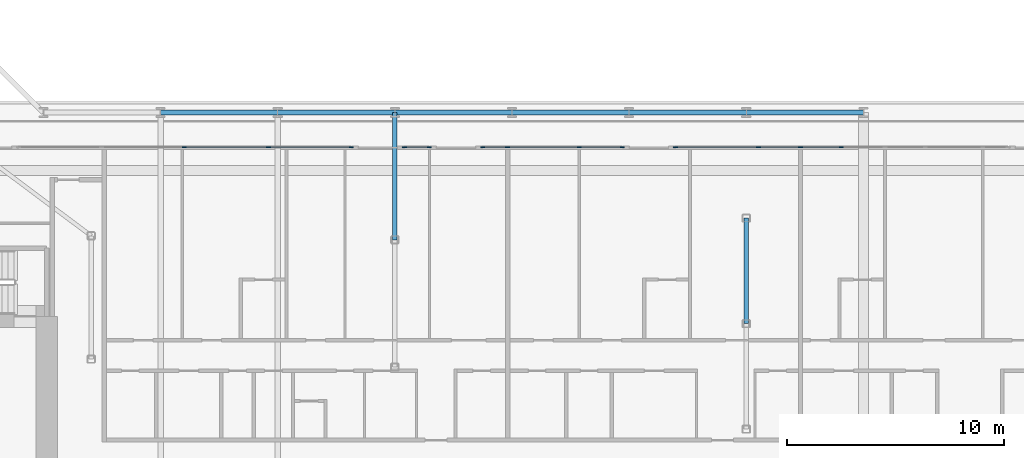
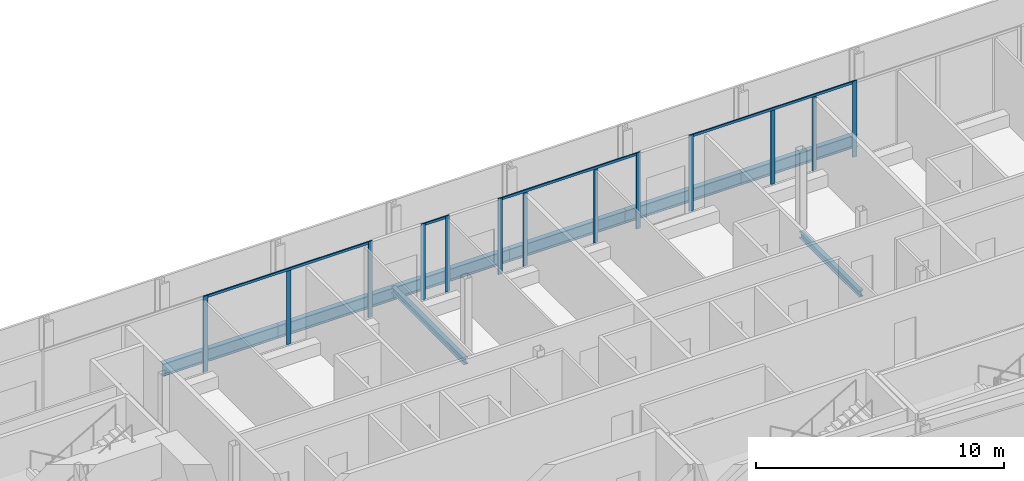
# One storey, part 6 of 29: 17 members, 8 beams, 5 elements without a shape of their own.
"""IFC4 building model written with IfcOpenShell, lengths in metres."""

import ifcopenshell
import ifcopenshell.guid

model = None  # the IFC model being written
_history = None  # IfcOwnerHistory: only IFC2X3 demands one
_inside = {}  # id of a spatial element -> (the spatial element, [elements in it])
_under = {}  # id of a project, library or spatial element -> (it, [spatial elements below it])
_declared = {}  # id of a project -> (the project, [libraries it declares])
_typed = {}  # id of a type object -> (the type object, [elements of that type])
_made_of = {}  # id of a material, layer set ... -> (it, [elements and type objects made of it])


def new_model(schema):
    """Start an empty IFC model of exactly this schema.

    Asked for "IFC4X3", IfcOpenShell would pick the latest addendum, in which some entities
    have other attributes; the version numbers below select the first issue.
    IFC2X3 requires an IfcOwnerHistory on every rooted entity: one is made here for all.
    """
    global model, _history
    if schema == "IFC4X3":
        model = ifcopenshell.file(schema_version=(4, 3, 0, 0))
    else:
        model = ifcopenshell.file(schema=schema)
    _inside.clear()
    _under.clear()
    _declared.clear()
    _typed.clear()
    _made_of.clear()
    _history = None
    if model.schema == "IFC2X3":
        org = make("IfcOrganization", Name="unknown")
        user = make(
            "IfcPersonAndOrganization",
            ThePerson=make("IfcPerson", FamilyName="unknown"),
            TheOrganization=org,
        )
        app = make(
            "IfcApplication",
            ApplicationDeveloper=org,
            Version="unknown",
            ApplicationFullName="unknown",
            ApplicationIdentifier="unknown",
        )
        _history = make(
            "IfcOwnerHistory",
            OwningUser=user,
            OwningApplication=app,
            ChangeAction="ADDED",
            CreationDate=0,
        )
    return model


def make(cls, **values):
    """One entity of the class cls with the attributes given. An attribute that is None is left unset."""
    return model.create_entity(
        cls, **{name: value for name, value in values.items() if value is not None}
    )


def rooted(cls, **values):
    """An entity with a GlobalId (a new one), such as an element, a storey or a relation."""
    return make(cls, GlobalId=ifcopenshell.guid.new(), OwnerHistory=_history, **values)


def si_unit(unit_type, name, prefix=None):
    """IfcSIUnit, for example si_unit("LENGTHUNIT", "METRE", prefix="MILLI")."""
    return make("IfcSIUnit", UnitType=unit_type, Prefix=prefix, Name=name)


def assignment(units):
    """IfcUnitAssignment: the units of a project."""
    return None if units is None else make("IfcUnitAssignment", Units=units)


def point(xyz):
    """IfcCartesianPoint."""
    return None if xyz is None else make("IfcCartesianPoint", Coordinates=xyz)


def direction(xyz):
    """IfcDirection."""
    return None if xyz is None else make("IfcDirection", DirectionRatios=xyz)


def frame(location, z_axis=None, x_axis=None):
    """IfcAxis2Placement3D, a coordinate frame: its origin and axes. An axis left out is left unset."""
    return make(
        "IfcAxis2Placement3D",
        Location=point(location),
        Axis=direction(z_axis),
        RefDirection=direction(x_axis),
    )


def frame_2d(location, x_axis=None):
    """IfcAxis2Placement2D, a coordinate frame in the plane: its origin and x axis."""
    return make(
        "IfcAxis2Placement2D", Location=point(location), RefDirection=direction(x_axis)
    )


def origin():
    """The frame at (0, 0, 0) with its axes left unset."""
    return frame((0.0, 0.0, 0.0))


def origin_2d():
    """The frame at (0, 0) in the plane with its x axis left unset."""
    return frame_2d((0.0, 0.0))


def place(relative_to, where):
    """IfcLocalPlacement: puts the frame where relative to a parent placement (None: the world)."""
    return make(
        "IfcLocalPlacement", PlacementRelTo=relative_to, RelativePlacement=where
    )


def context(
    kind, dimensions, precision=None, world=None, true_north=None, identifier=None
):
    """IfcGeometricRepresentationContext, for example the 3D "Model" context."""
    return make(
        "IfcGeometricRepresentationContext",
        ContextIdentifier=identifier,
        ContextType=kind,
        CoordinateSpaceDimension=dimensions,
        Precision=precision,
        WorldCoordinateSystem=world,
        TrueNorth=true_north,
    )


def subcontext(parent, identifier, kind, view, scale=None):
    """IfcGeometricRepresentationSubContext, for example "Body" below "Model"."""
    return make(
        "IfcGeometricRepresentationSubContext",
        ContextIdentifier=identifier,
        ContextType=kind,
        ParentContext=parent,
        TargetScale=scale,
        TargetView=view,
    )


def project(units=None, contexts=None):
    """IfcProject with its units and contexts."""
    return rooted(
        "IfcProject",
        Name="project",
        RepresentationContexts=contexts,
        UnitsInContext=assignment(units),
    )


def spatial(cls, under=None, at=None, **own):
    """A site, building, storey or space (cls), placed at a placement, below another one or the project."""
    s = rooted(cls, ObjectPlacement=at, **own)
    if under is not None:
        _under.setdefault(under.id(), (under, []))[1].append(s)
    return s


def profile(cls, at=None, kind="AREA", **sizes):
    """A parametric profile (cls). Its sizes go by their IFC names, for example OverallWidth=200.0."""
    return make(cls, ProfileType=kind, Position=at, **sizes)


def rectangle(**sizes):
    """IfcRectangleProfileDef."""
    return profile("IfcRectangleProfileDef", **sizes)


def i_section(**sizes):
    """IfcIShapeProfileDef."""
    return profile("IfcIShapeProfileDef", **sizes)


def extrude(swept, where, along, depth):
    """IfcExtrudedAreaSolid: the profile swept, set in the frame where, extruded along a direction by depth."""
    return make(
        "IfcExtrudedAreaSolid",
        SweptArea=swept,
        Position=where,
        ExtrudedDirection=direction(along),
        Depth=depth,
    )


def shape(context_of_items, identifier, shape_type, items):
    """IfcShapeRepresentation: the items that make up one representation, for example the "Body"."""
    return make(
        "IfcShapeRepresentation",
        ContextOfItems=context_of_items,
        RepresentationIdentifier=identifier,
        RepresentationType=shape_type,
        Items=items,
    )


def material(Name=None, Category=None):
    """IfcMaterial."""
    return make("IfcMaterial", Name=Name, Category=Category)


def layer(
    of_material, thickness, ventilated=None, Name=None, Category=None, Priority=None
):
    """IfcMaterialLayer: one layer of a wall or slab, of a material (None: an air gap)."""
    return make(
        "IfcMaterialLayer",
        Material=of_material,
        LayerThickness=thickness,
        IsVentilated=ventilated,
        Name=Name,
        Category=Category,
        Priority=Priority,
    )


def layer_set(layers, Name=None):
    """IfcMaterialLayerSet."""
    return make("IfcMaterialLayerSet", MaterialLayers=layers, LayerSetName=Name)


def material_profile(
    of_material, cross_section, Name=None, Category=None, Priority=None
):
    """IfcMaterialProfile: a cross section and its material."""
    return make(
        "IfcMaterialProfile",
        Name=Name,
        Material=of_material,
        Profile=cross_section,
        Priority=Priority,
        Category=Category,
    )


def profile_set(profiles, Name=None, composite=None):
    """IfcMaterialProfileSet."""
    return make(
        "IfcMaterialProfileSet",
        Name=Name,
        MaterialProfiles=profiles,
        CompositeProfile=composite,
    )


def made_of(thing, what):
    """Note that an element or type object is made of a material, layer set ...; save() writes the relation."""
    if what is not None:
        _made_of.setdefault(what.id(), (what, []))[1].append(thing)
    return thing


def type_object(cls, material=None, **own):
    """A type object (cls), such as IfcWallType, which elements share."""
    return made_of(rooted(cls, **own), material)


def element(
    cls,
    number,
    at=None,
    inside=None,
    cuts=None,
    type_object=None,
    material=None,
    context=None,
    identifier="Body",
    shape_type=None,
    held_by="IfcProductDefinitionShape",
    body=None,
    shapes=None,
    **own,
):
    """One element of the class cls, such as IfcWall. Its Tag is "e" and its number.

    at: its placement. inside: the storey or other place that contains it. cuts: it is an
    opening in that element (IfcRelVoidsElement). A single representation is given by context,
    identifier, shape_type and body (its items); several are given by shapes. held_by: the class
    of the entity that holds the representations. save() writes the other relations.
    """
    e = rooted(cls, Tag="e%d" % number, ObjectPlacement=at, **own)
    if body is not None:
        shapes = [shape(context, identifier, shape_type, body)]
    if shapes is not None:
        e.Representation = make(held_by, Representations=shapes)
    if inside is not None:
        _inside.setdefault(inside.id(), (inside, []))[1].append(e)
    if cuts is not None:
        rooted(
            "IfcRelVoidsElement", RelatingBuildingElement=cuts, RelatedOpeningElement=e
        )
    if type_object is not None:
        _typed.setdefault(type_object.id(), (type_object, []))[1].append(e)
    return made_of(e, material)


def aggregate(whole, parts):
    """IfcRelAggregates: a whole, such as a stair, and the parts it consists of."""
    return rooted("IfcRelAggregates", RelatingObject=whole, RelatedObjects=parts)


def save(model, path):
    """Write the relations noted so far, then the file.

    IfcRelAggregates (storeys below a building ...), IfcRelContainedInSpatialStructure (elements
    in a storey), IfcRelDefinesByType, IfcRelAssociatesMaterial and IfcRelDeclares: one each for
    every whole, place, type object, material and project.
    """
    for whole, parts in _under.values():
        aggregate(whole, parts)
    for where, things in _inside.values():
        rooted(
            "IfcRelContainedInSpatialStructure",
            RelatedElements=things,
            RelatingStructure=where,
        )
    for kind, things in _typed.values():
        rooted("IfcRelDefinesByType", RelatedObjects=things, RelatingType=kind)
    for what, things in _made_of.values():
        rooted("IfcRelAssociatesMaterial", RelatedObjects=things, RelatingMaterial=what)
    for by, libraries in _declared.values():
        rooted("IfcRelDeclares", RelatingContext=by, RelatedDefinitions=libraries)
    model.write(path)


model = new_model("IFC4")

# Units and contexts
model_context = context("Model", 3, precision=1e-05, world=origin(), true_north=direction((0.0, 1.0)))
body_context = subcontext(model_context, "Body", "Model", "MODEL_VIEW")
ifc_project = project(units=[si_unit("LENGTHUNIT", "METRE"), si_unit("AREAUNIT", "SQUARE_METRE"), si_unit("VOLUMEUNIT", "CUBIC_METRE"), si_unit("PLANEANGLEUNIT", "RADIAN"), si_unit("MASSUNIT", "GRAM", prefix="KILO")], contexts=[model_context])

# Site, building, storey
site_placement = place(None, origin())
site = spatial("IfcSite", under=ifc_project, at=site_placement, CompositionType="ELEMENT")
building_placement = place(site_placement, origin())
building = spatial("IfcBuilding", under=site, at=building_placement, Name="Kheshtan School and Residences Tower", CompositionType="ELEMENT")
storey_placement = place(building_placement, frame((0.0, 0.0, 69.5)))
storey = spatial("IfcBuildingStorey", under=building, at=storey_placement, Name="L16", CompositionType="ELEMENT", Elevation=69.5)

# Beams
ifc_material_1 = material(Name="Steel ASTM A992 Grade 50", Category="steel")
ifc_material_profile_1 = material_profile(ifc_material_1, i_section(OverallWidth=0.202880859375, OverallDepth=0.302978515625, WebThickness=0.007568359375, FlangeThickness=0.01318359375, FilletRadius=0.009033203125, at=origin_2d()), Name="W310x60")
ifc_profile_set_1 = profile_set([ifc_material_profile_1], Name="Steel ASTM A992 Grade 50")
beam_type_1 = type_object("IfcBeamType", Name="Beam FB1 W310x60 ASTM A992 Grade 50", PredefinedType="BEAM", material=ifc_profile_set_1)
beam_1_placement = place(storey_placement, frame((69.199951171875, 45.60009765625, -0.301513671875), z_axis=(0.0, -1.0, 0.0), x_axis=(1.0, 0.0, 0.0)))
element("IfcBeam", 1, at=beam_1_placement, inside=storey, type_object=beam_type_1, Name="Floor beam C064", PredefinedType="BEAM", context=body_context, shape_type="SweptSolid", body=[
    extrude(i_section(OverallWidth=0.202880859375, OverallDepth=0.302978515625, WebThickness=0.007568359375, FlangeThickness=0.01318359375, FilletRadius=0.009033203125, at=origin_2d()), origin(), (0.0, 0.0, 1.0), 5.8681640625),
])
beam_2_placement = place(storey_placement, frame((85.39990234375, 40.735107421875, -0.301513671875), z_axis=(0.0, -1.0, 0.0), x_axis=(1.0, 0.0, 0.0)))
element("IfcBeam", 2, at=beam_2_placement, inside=storey, type_object=beam_type_1, Name="Floor beam IC", PredefinedType="BEAM", context=body_context, shape_type="SweptSolid", body=[
    extrude(i_section(OverallWidth=0.202880859375, OverallDepth=0.302978515625, WebThickness=0.007568359375, FlangeThickness=0.01318359375, FilletRadius=0.009033203125, at=origin_2d()), origin(), (0.0, 0.0, 1.0), 4.864990234375),
])
ifc_material_profile_2 = material_profile(ifc_material_1, i_section(OverallWidth=0.22998046875, OverallDepth=0.616943359375, WebThickness=0.01318359375, FlangeThickness=0.022216796875, FilletRadius=0.0185546875, at=origin_2d()), Name="W610x140")
ifc_profile_set_2 = profile_set([ifc_material_profile_2], Name="Steel ASTM A992 Grade 50")
beam_type_2 = type_object("IfcBeamType", Name="Beam SP1 W610x140 ASTM A992 Grade 50", PredefinedType="BEAM", material=ifc_profile_set_2)
beam_3_placement = place(storey_placement, frame((58.39990234375, 45.60009765625, -0.45849609375), z_axis=(1.0, 0.0, 0.0), x_axis=(0.0, 1.0, 0.0)))
element("IfcBeam", 3, at=beam_3_placement, inside=storey, type_object=beam_type_2, Name="Spandrel beam C062-C063", PredefinedType="BEAM", context=body_context, shape_type="SweptSolid", body=[
    extrude(i_section(OverallWidth=0.22998046875, OverallDepth=0.616943359375, WebThickness=0.01318359375, FlangeThickness=0.022216796875, FilletRadius=0.0185546875, at=origin_2d()), origin(), (0.0, 0.0, 1.0), 5.400146484375),
])
beam_4_placement = place(storey_placement, frame((63.800048828125, 45.60009765625, -0.45849609375), z_axis=(1.0, 0.0, 0.0), x_axis=(0.0, 1.0, 0.0)))
element("IfcBeam", 4, at=beam_4_placement, inside=storey, type_object=beam_type_2, Name="Spandrel beam C063-C064", PredefinedType="BEAM", context=body_context, shape_type="SweptSolid", body=[
    extrude(i_section(OverallWidth=0.22998046875, OverallDepth=0.616943359375, WebThickness=0.01318359375, FlangeThickness=0.022216796875, FilletRadius=0.0185546875, at=origin_2d()), origin(), (0.0, 0.0, 1.0), 5.39990234375),
])
beam_5_placement = place(storey_placement, frame((69.199951171875, 45.60009765625, -0.45849609375), z_axis=(1.0, 0.0, 0.0), x_axis=(0.0, 1.0, 0.0)))
element("IfcBeam", 5, at=beam_5_placement, inside=storey, type_object=beam_type_2, Name="Spandrel beam C064-C065", PredefinedType="BEAM", context=body_context, shape_type="SweptSolid", body=[
    extrude(i_section(OverallWidth=0.22998046875, OverallDepth=0.616943359375, WebThickness=0.01318359375, FlangeThickness=0.022216796875, FilletRadius=0.0185546875, at=origin_2d()), origin(), (0.0, 0.0, 1.0), 5.400146484375),
])
for number, where, z_axis, x_axis, name in (
    (6, (74.60009765625, 45.60009765625, -0.45849609375), (1.0, 0.0, 0.0), (0.0, 1.0, 0.0), "Spandrel beam C065-C066"),
    (7, (80.0, 45.60009765625, -0.45849609375), (1.0, 0.0, 0.0), (0.0, 1.0, 0.0), "Spandrel beam C066-C067"),
):
    element("IfcBeam", number, at=place(storey_placement, frame(where, z_axis=z_axis, x_axis=x_axis)), inside=storey, type_object=beam_type_2, Name=name, PredefinedType="BEAM", context=body_context, shape_type="SweptSolid", body=[
        extrude(i_section(OverallWidth=0.22998046875, OverallDepth=0.616943359375, WebThickness=0.01318359375, FlangeThickness=0.022216796875, FilletRadius=0.0185546875, at=origin_2d()), origin(), (0.0, 0.0, 1.0), 5.39990234375),
    ])
beam_6_placement = place(storey_placement, frame((85.39990234375, 45.60009765625, -0.45849609375), z_axis=(1.0, 0.0, 0.0), x_axis=(0.0, 1.0, 0.0)))
element("IfcBeam", 8, at=beam_6_placement, inside=storey, type_object=beam_type_2, Name="Spandrel beam C067-C068", PredefinedType="BEAM", context=body_context, shape_type="SweptSolid", body=[
    extrude(i_section(OverallWidth=0.22998046875, OverallDepth=0.616943359375, WebThickness=0.01318359375, FlangeThickness=0.022216796875, FilletRadius=0.0185546875, at=origin_2d()), origin(), (0.0, 0.0, 1.0), 5.400146484375),
])

# Curtain wall, member
ifc_material_2 = material(Name="Clear low-e glass in thermally broken aluminium frame", Category="aluminium")
ifc_layer = layer(ifc_material_2, 0.199951171875)
ifc_layer_set = layer_set([ifc_layer], Name="Curtain wall CW-L")
curtain_wall_type = type_object("IfcCurtainWallType", Name="Curtain wall CW-L", PredefinedType="NOTDEFINED", material=ifc_layer_set)
curtain_wall_1_placement = place(storey_placement, origin())
curtain_wall_1 = element("IfcCurtainWall", 9, at=curtain_wall_1_placement, inside=storey, type_object=curtain_wall_type, Name="Curtain wall CWL12j", PredefinedType="NOTDEFINED")
ifc_material_3 = material(Name="Thermally broken aluminium, dark bronze anodised", Category="aluminium")
ifc_material_profile_3 = material_profile(ifc_material_3, rectangle(XDim=0.06005859375, YDim=0.199951171875, at=origin_2d()), Name="CW-L mullion 60x200")
ifc_profile_set_3 = profile_set([ifc_material_profile_3], Name="Thermally broken aluminium, dark bronze anodised")
member_type_1 = type_object("IfcMemberType", Name="CW-L mullion 60x200", PredefinedType="MULLION", material=ifc_profile_set_3)
member_1_placement = place(storey_placement, frame((59.493896484375, 44.0, 0.0), z_axis=(0.0, 0.0, 1.0), x_axis=(0.0, 1.0, 0.0)))
member_1 = element("IfcMember", 10, at=member_1_placement, type_object=member_type_1, Name="CWL12j mullion 3", PredefinedType="MULLION", context=body_context, shape_type="SweptSolid", body=[
    extrude(rectangle(XDim=0.06005859375, YDim=0.199951171875, at=origin_2d()), origin(), (0.0, 0.0, 1.0), 3.75),
])
aggregate(curtain_wall_1, [member_1])

# Curtain wall, members
curtain_wall_2_placement = place(storey_placement, origin())
curtain_wall_2 = element("IfcCurtainWall", 11, at=curtain_wall_2_placement, inside=storey, type_object=curtain_wall_type, Name="Curtain wall CWL12j", PredefinedType="NOTDEFINED")
member_2_placement = place(storey_placement, frame((63.37109375, 44.0, 0.0), z_axis=(0.0, 0.0, 1.0), x_axis=(0.0, 1.0, 0.0)))
member_2 = element("IfcMember", 12, at=member_2_placement, type_object=member_type_1, Name="CWL12j mullion 2", PredefinedType="MULLION", context=body_context, shape_type="SweptSolid", body=[
    extrude(rectangle(XDim=0.06005859375, YDim=0.199951171875, at=origin_2d()), origin(), (0.0, 0.0, 1.0), 3.6298828125),
])
member_3_placement = place(storey_placement, frame((67.18798828125, 44.0, 0.0), z_axis=(0.0, 0.0, 1.0), x_axis=(0.0, 1.0, 0.0)))
member_3 = element("IfcMember", 13, at=member_3_placement, type_object=member_type_1, Name="CWL12j mullion 3", PredefinedType="MULLION", context=body_context, shape_type="SweptSolid", body=[
    extrude(rectangle(XDim=0.06005859375, YDim=0.199951171875, at=origin_2d()), origin(), (0.0, 0.0, 1.0), 3.75),
])

curtain_wall_3_placement = place(storey_placement, origin())
curtain_wall_3 = element("IfcCurtainWall", 14, at=curtain_wall_3_placement, inside=storey, type_object=curtain_wall_type, Name="Curtain wall CWL12b", PredefinedType="NOTDEFINED")
member_4_placement = place(storey_placement, frame((69.64794921875, 44.0, 0.0), z_axis=(0.0, 0.0, 1.0), x_axis=(0.0, 1.0, 0.0)))
member_4 = element("IfcMember", 15, at=member_4_placement, type_object=member_type_1, Name="CWL12b mullion 1", PredefinedType="MULLION", context=body_context, shape_type="SweptSolid", body=[
    extrude(rectangle(XDim=0.06005859375, YDim=0.199951171875, at=origin_2d()), origin(), (0.0, 0.0, 1.0), 3.75),
])
member_5_placement = place(storey_placement, frame((70.7880859375, 44.0, 0.0), z_axis=(0.0, 0.0, 1.0), x_axis=(0.0, 1.0, 0.0)))
member_5 = element("IfcMember", 16, at=member_5_placement, type_object=member_type_1, Name="CWL12b mullion 2", PredefinedType="MULLION", context=body_context, shape_type="SweptSolid", body=[
    extrude(rectangle(XDim=0.06005859375, YDim=0.199951171875, at=origin_2d()), origin(), (0.0, 0.0, 1.0), 3.75),
])

curtain_wall_4_placement = place(storey_placement, origin())
curtain_wall_4 = element("IfcCurtainWall", 17, at=curtain_wall_4_placement, inside=storey, type_object=curtain_wall_type, Name="Curtain wall CWL12l", PredefinedType="NOTDEFINED")
member_6_placement = place(storey_placement, frame((73.248046875, 44.0, 0.0), z_axis=(0.0, 0.0, 1.0), x_axis=(0.0, 1.0, 0.0)))
member_6 = element("IfcMember", 18, at=member_6_placement, type_object=member_type_1, Name="CWL12l mullion 1", PredefinedType="MULLION", context=body_context, shape_type="SweptSolid", body=[
    extrude(rectangle(XDim=0.06005859375, YDim=0.199951171875, at=origin_2d()), origin(), (0.0, 0.0, 1.0), 3.75),
])
member_7_placement = place(storey_placement, frame((74.39990234375, 44.0, 0.0), z_axis=(0.0, 0.0, 1.0), x_axis=(0.0, 1.0, 0.0)))
member_7 = element("IfcMember", 19, at=member_7_placement, type_object=member_type_1, Name="CWL12l mullion 2", PredefinedType="MULLION", context=body_context, shape_type="SweptSolid", body=[
    extrude(rectangle(XDim=0.06005859375, YDim=0.199951171875, at=origin_2d()), origin(), (0.0, 0.0, 1.0), 3.6298828125),
])
member_8_placement = place(storey_placement, frame((77.699951171875, 44.0, 0.0), z_axis=(0.0, 0.0, 1.0), x_axis=(0.0, 1.0, 0.0)))
member_8 = element("IfcMember", 20, at=member_8_placement, type_object=member_type_1, Name="CWL12l mullion 3", PredefinedType="MULLION", context=body_context, shape_type="SweptSolid", body=[
    extrude(rectangle(XDim=0.06005859375, YDim=0.199951171875, at=origin_2d()), origin(), (0.0, 0.0, 1.0), 3.6298828125),
])
member_9_placement = place(storey_placement, frame((79.681884765625, 44.0, 0.0), z_axis=(0.0, 0.0, 1.0), x_axis=(0.0, 1.0, 0.0)))
member_9 = element("IfcMember", 21, at=member_9_placement, type_object=member_type_1, Name="CWL12l mullion 4", PredefinedType="MULLION", context=body_context, shape_type="SweptSolid", body=[
    extrude(rectangle(XDim=0.06005859375, YDim=0.199951171875, at=origin_2d()), origin(), (0.0, 0.0, 1.0), 3.75),
])

curtain_wall_5_placement = place(storey_placement, origin())
curtain_wall_5 = element("IfcCurtainWall", 22, at=curtain_wall_5_placement, inside=storey, type_object=curtain_wall_type, Name="Curtain wall CWL12k", PredefinedType="NOTDEFINED")
member_10_placement = place(storey_placement, frame((82.14208984375, 44.0, 0.0), z_axis=(0.0, 0.0, 1.0), x_axis=(0.0, 1.0, 0.0)))
member_10 = element("IfcMember", 23, at=member_10_placement, type_object=member_type_1, Name="CWL12k mullion 1", PredefinedType="MULLION", context=body_context, shape_type="SweptSolid", body=[
    extrude(rectangle(XDim=0.06005859375, YDim=0.199951171875, at=origin_2d()), origin(), (0.0, 0.0, 1.0), 3.75),
])
member_11_placement = place(storey_placement, frame((85.958984375, 44.0, 0.0), z_axis=(0.0, 0.0, 1.0), x_axis=(0.0, 1.0, 0.0)))
member_11 = element("IfcMember", 24, at=member_11_placement, type_object=member_type_1, Name="CWL12k mullion 2", PredefinedType="MULLION", context=body_context, shape_type="SweptSolid", body=[
    extrude(rectangle(XDim=0.06005859375, YDim=0.199951171875, at=origin_2d()), origin(), (0.0, 0.0, 1.0), 3.6298828125),
])
member_12_placement = place(storey_placement, frame((87.89990234375, 44.0, 0.0), z_axis=(0.0, 0.0, 1.0), x_axis=(0.0, 1.0, 0.0)))
member_12 = element("IfcMember", 25, at=member_12_placement, type_object=member_type_1, Name="CWL12k mullion 3", PredefinedType="MULLION", context=body_context, shape_type="SweptSolid", body=[
    extrude(rectangle(XDim=0.06005859375, YDim=0.199951171875, at=origin_2d()), origin(), (0.0, 0.0, 1.0), 3.6298828125),
])
member_13_placement = place(storey_placement, frame((89.77587890625, 44.0, 0.0), z_axis=(0.0, 0.0, 1.0), x_axis=(0.0, 1.0, 0.0)))
member_13 = element("IfcMember", 26, at=member_13_placement, type_object=member_type_1, Name="CWL12k mullion 4", PredefinedType="MULLION", context=body_context, shape_type="SweptSolid", body=[
    extrude(rectangle(XDim=0.06005859375, YDim=0.199951171875, at=origin_2d()), origin(), (0.0, 0.0, 1.0), 3.75),
])

# Member
ifc_material_profile_4 = material_profile(ifc_material_3, rectangle(XDim=0.06005859375, YDim=0.1201171875, at=origin_2d()), Name="CW-L transom 60x120")
ifc_profile_set_4 = profile_set([ifc_material_profile_4], Name="Thermally broken aluminium, dark bronze anodised")
member_type_2 = type_object("IfcMemberType", Name="CW-L transom 60x120", PredefinedType="USERDEFINED", material=ifc_profile_set_4)
member_14_placement = place(storey_placement, frame((59.52392578125, 44.0, 3.68994140625), z_axis=(1.0, 0.0, 0.0), x_axis=(0.0, 1.0, 0.0)))
member_14 = element("IfcMember", 27, at=member_14_placement, type_object=member_type_2, Name="CWL12j transom 1", ObjectType="TRANSOM", PredefinedType="USERDEFINED", context=body_context, shape_type="SweptSolid", body=[
    extrude(rectangle(XDim=0.06005859375, YDim=0.1201171875, at=origin_2d()), origin(), (0.0, 0.0, 1.0), 7.634033203125),
])

aggregate(curtain_wall_2, [member_2, member_3, member_14])

member_15_placement = place(storey_placement, frame((69.677978515625, 44.0, 3.68994140625), z_axis=(1.0, 0.0, 0.0), x_axis=(0.0, 1.0, 0.0)))
member_15 = element("IfcMember", 28, at=member_15_placement, type_object=member_type_2, Name="CWL12b transom 1", ObjectType="TRANSOM", PredefinedType="USERDEFINED", context=body_context, shape_type="SweptSolid", body=[
    extrude(rectangle(XDim=0.06005859375, YDim=0.1201171875, at=origin_2d()), origin(), (0.0, 0.0, 1.0), 1.080078125),
])

aggregate(curtain_wall_3, [member_4, member_5, member_15])

member_16_placement = place(storey_placement, frame((73.278076171875, 44.0, 3.68994140625), z_axis=(1.0, 0.0, 0.0), x_axis=(0.0, 1.0, 0.0)))
member_16 = element("IfcMember", 29, at=member_16_placement, type_object=member_type_2, Name="CWL12l transom 1", ObjectType="TRANSOM", PredefinedType="USERDEFINED", context=body_context, shape_type="SweptSolid", body=[
    extrude(rectangle(XDim=0.06005859375, YDim=0.1201171875, at=origin_2d()), origin(), (0.0, 0.0, 1.0), 6.3740234375),
])

aggregate(curtain_wall_4, [member_6, member_7, member_8, member_9, member_16])

member_17_placement = place(storey_placement, frame((82.172119140625, 44.0, 3.68994140625), z_axis=(1.0, 0.0, 0.0), x_axis=(0.0, 1.0, 0.0)))
member_17 = element("IfcMember", 30, at=member_17_placement, type_object=member_type_2, Name="CWL12k transom 1", ObjectType="TRANSOM", PredefinedType="USERDEFINED", context=body_context, shape_type="SweptSolid", body=[
    extrude(rectangle(XDim=0.06005859375, YDim=0.1201171875, at=origin_2d()), origin(), (0.0, 0.0, 1.0), 7.573974609375),
])

aggregate(curtain_wall_5, [member_10, member_11, member_12, member_13, member_17])

save(model, "model.ifc")
